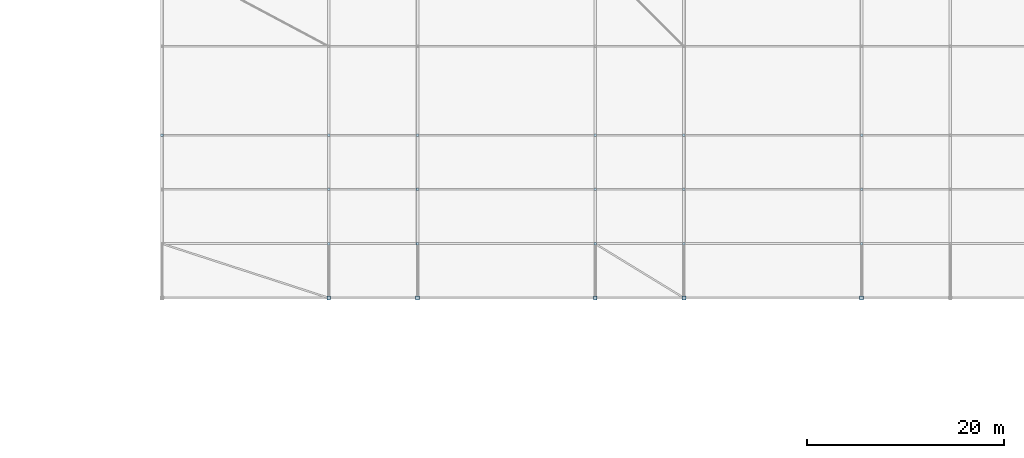
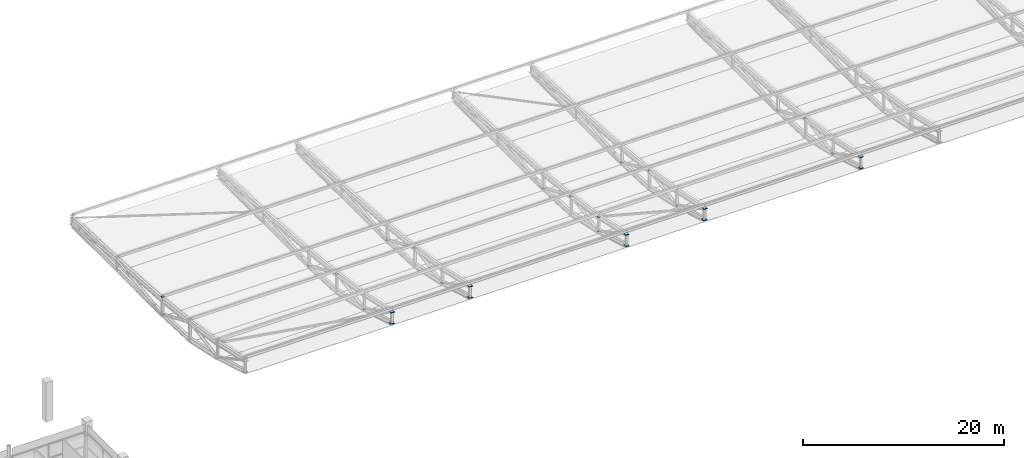
# One storey, part 96 of 114: 28 plates.
"""IFC4 building model written with IfcOpenShell, lengths in metres."""

from ifc_helpers import new_model, si_unit, direction, frame, origin, origin_2d, place, context, subcontext, project, spatial, rectangle, extrude, material, layer, layer_set, type_object, element, save


model = new_model("IFC4")

# Units and contexts
model_context = context("Model", 3, precision=1e-05, world=origin(), true_north=direction((0.0, 1.0)))
body_context = subcontext(model_context, "Body", "Model", "MODEL_VIEW")
ifc_project = project(units=[si_unit("LENGTHUNIT", "METRE"), si_unit("AREAUNIT", "SQUARE_METRE"), si_unit("VOLUMEUNIT", "CUBIC_METRE"), si_unit("PLANEANGLEUNIT", "RADIAN"), si_unit("MASSUNIT", "GRAM", prefix="KILO"), si_unit("THERMODYNAMICTEMPERATUREUNIT", "KELVIN"), si_unit("POWERUNIT", "WATT")], contexts=[model_context])

# Site, building, storey
site_placement = place(None, origin())
site = spatial("IfcSite", under=ifc_project, at=site_placement, CompositionType="ELEMENT")
building_placement = place(site_placement, origin())
building = spatial("IfcBuilding", under=site, at=building_placement, Name="Sindhuravela Promenade Stadium", CompositionType="ELEMENT")
storey_placement = place(building_placement, frame((0.0, 0.0, 24.0)))
storey = spatial("IfcBuildingStorey", under=building, at=storey_placement, Name="L05", CompositionType="ELEMENT", Elevation=24.0)

# Plates
ifc_material = material(Name="Steel E350 (IS 2062 E350BR)", Category="steel")
ifc_layer_1 = layer(ifc_material, 0.02392578125)
ifc_layer_set_1 = layer_set([ifc_layer_1], Name="Steel E350 (IS 2062 E350BR)")
plate_type_1 = type_object("IfcPlateType", Name="ST-PL-CAP24", PredefinedType="USERDEFINED", material=ifc_layer_set_1)
for number, where, z_axis, x_axis, name in (
    (1, (55.10009765625, 135.0, 2.143310546875), (0.0, 0.0, 1.0), (1.0, 0.0, 0.0), "Purlin end cap plate CP01 N-39"),
    (2, (99.0, 124.0, 3.1572265625), (0.0, 0.0, 1.0), (1.0, 0.0, 0.0), "Brace end cap plate CP01 N-46"),
):
    element("IfcPlate", number, at=place(storey_placement, frame(where, z_axis=z_axis, x_axis=x_axis)), inside=storey, type_object=plate_type_1, Name=name, ObjectType="GUSSET PLATE", PredefinedType="USERDEFINED", context=body_context, shape_type="SweptSolid", body=[
        extrude(rectangle(XDim=0.280029296875, YDim=0.280029296875, at=origin_2d()), origin(), (0.0, 0.0, 1.0), 0.02392578125),
    ])
for number, where, z_axis, x_axis, name in (
    (3, (55.10009765625, 135.0, -0.011962890625), (0.0, 0.0, 1.0), (1.0, 0.0, 0.0), "Brace end gusset plate CP01 BR-0161B"),
    (4, (72.0, 135.0, -0.011962890625), (0.0, 0.0, 1.0), (1.0, 0.0, 0.0), "Brace end gusset plate CP01 BR-0164B"),
    (5, (72.0, 129.5, 2.340576171875), (0.0, 0.0, 1.0), (1.0, 0.0, 0.0), "Brace end gusset plate CP01 BR-0165B"),
    (6, (72.0, 124.0, 1.4072265625), (0.0, 0.0, 1.0), (1.0, 0.0, 0.0), "Brace end gusset plate CP01 BR-0166B"),
    (7, (81.0, 135.0, -0.011962890625), (0.0, 0.0, 1.0), (1.0, 0.0, 0.0), "Brace end gusset plate CP01 BR-0168B"),
    (8, (81.0, 129.5, 2.340576171875), (0.0, 0.0, 1.0), (1.0, 0.0, 0.0), "Brace end gusset plate CP01 BR-0169B"),
    (9, (81.0, 124.0, 1.4072265625), (0.0, 0.0, 1.0), (1.0, 0.0, 0.0), "Brace end gusset plate CP01 BR-0170B"),
    (10, (99.0, 135.0, -0.011962890625), (0.0, 0.0, 1.0), (1.0, 0.0, 0.0), "Brace end gusset plate CP01 BR-0172B"),
    (11, (99.0, 129.5, 2.340576171875), (0.0, 0.0, 1.0), (1.0, 0.0, 0.0), "Brace end gusset plate CP01 BR-0173B"),
    (12, (99.0, 124.0, 1.4072265625), (0.0, 0.0, 1.0), (1.0, 0.0, 0.0), "Brace end gusset plate CP01 BR-0174B"),
    (13, (108.0, 135.0, -0.011962890625), (0.0, 0.0, 1.0), (1.0, 0.0, 0.0), "Brace end gusset plate CP01 BR-0175B"),
    (14, (108.0, 129.5, 2.340576171875), (0.0, 0.0, 1.0), (1.0, 0.0, 0.0), "Brace end gusset plate CP01 BR-0176B"),
    (15, (108.0, 124.0, 1.4072265625), (0.0, 0.0, 1.0), (1.0, 0.0, 0.0), "Brace end gusset plate CP01 BR-0177B"),
    (16, (126.0, 135.0, -0.011962890625), (0.0, 0.0, 1.0), (1.0, 0.0, 0.0), "Brace end gusset plate CP01 BR-0179B"),
    (17, (126.0, 129.5, 2.340576171875), (0.0, 0.0, 1.0), (1.0, 0.0, 0.0), "Brace end gusset plate CP01 BR-0180B"),
    (18, (126.0, 124.0, 1.4072265625), (0.0, 0.0, 1.0), (1.0, 0.0, 0.0), "Brace end gusset plate CP01 BR-0181B"),
):
    element("IfcPlate", number, at=place(storey_placement, frame(where, z_axis=z_axis, x_axis=x_axis)), inside=storey, type_object=plate_type_1, Name=name, ObjectType="GUSSET PLATE", PredefinedType="USERDEFINED", context=body_context, shape_type="SweptSolid", body=[
        extrude(rectangle(XDim=0.260009765625, YDim=0.260009765625, at=origin_2d()), origin(), (0.0, 0.0, 1.0), 0.02392578125),
    ])
ifc_layer_2 = layer(ifc_material, 0.033935546875)
ifc_layer_set_2 = layer_set([ifc_layer_2], Name="Steel E350 (IS 2062 E350BR)")
plate_type_2 = type_object("IfcPlateType", Name="ST-PL-CAP34", PredefinedType="USERDEFINED", material=ifc_layer_set_2)
for number, where, z_axis, x_axis, name in (
    (19, (72.0, 118.5, 4.3828125), (0.0, 0.0, 1.0), (1.0, 0.0, 0.0), "Truss end gusset cap plate CP02 N02-6T"),
    (20, (72.0, 118.5, 3.0078125), (0.0, 0.0, 1.0), (1.0, 0.0, 0.0), "Truss end gusset cap plate CP02 N02-6B"),
    (21, (81.0, 118.5, 4.3828125), (0.0, 0.0, 1.0), (1.0, 0.0, 0.0), "Truss end gusset cap plate CP02 N03-6T"),
    (22, (81.0, 118.5, 3.0078125), (0.0, 0.0, 1.0), (1.0, 0.0, 0.0), "Truss end gusset cap plate CP02 N03-6B"),
    (23, (99.0, 118.5, 4.3828125), (0.0, 0.0, 1.0), (1.0, 0.0, 0.0), "Truss end gusset cap plate CP02 N04-6T"),
    (24, (99.0, 118.5, 3.0078125), (0.0, 0.0, 1.0), (1.0, 0.0, 0.0), "Truss end gusset cap plate CP02 N04-6B"),
    (25, (108.0, 118.5, 4.3828125), (0.0, 0.0, 1.0), (1.0, 0.0, 0.0), "Truss end gusset cap plate CP02 N05-6T"),
    (26, (108.0, 118.5, 3.0078125), (0.0, 0.0, 1.0), (1.0, 0.0, 0.0), "Truss end gusset cap plate CP02 N05-6B"),
    (27, (126.0, 118.5, 4.3828125), (0.0, 0.0, 1.0), (1.0, 0.0, 0.0), "Truss end gusset cap plate CP02 N06-6T"),
    (28, (126.0, 118.5, 3.0078125), (0.0, 0.0, 1.0), (1.0, 0.0, 0.0), "Truss end gusset cap plate CP02 N06-6B"),
):
    element("IfcPlate", number, at=place(storey_placement, frame(where, z_axis=z_axis, x_axis=x_axis)), inside=storey, type_object=plate_type_2, Name=name, ObjectType="GUSSET PLATE", PredefinedType="USERDEFINED", context=body_context, shape_type="SweptSolid", body=[
        extrude(rectangle(XDim=0.3798828125, YDim=0.3798828125, at=origin_2d()), origin(), (0.0, 0.0, 1.0), 0.033935546875),
    ])

save(model, "model.ifc")
